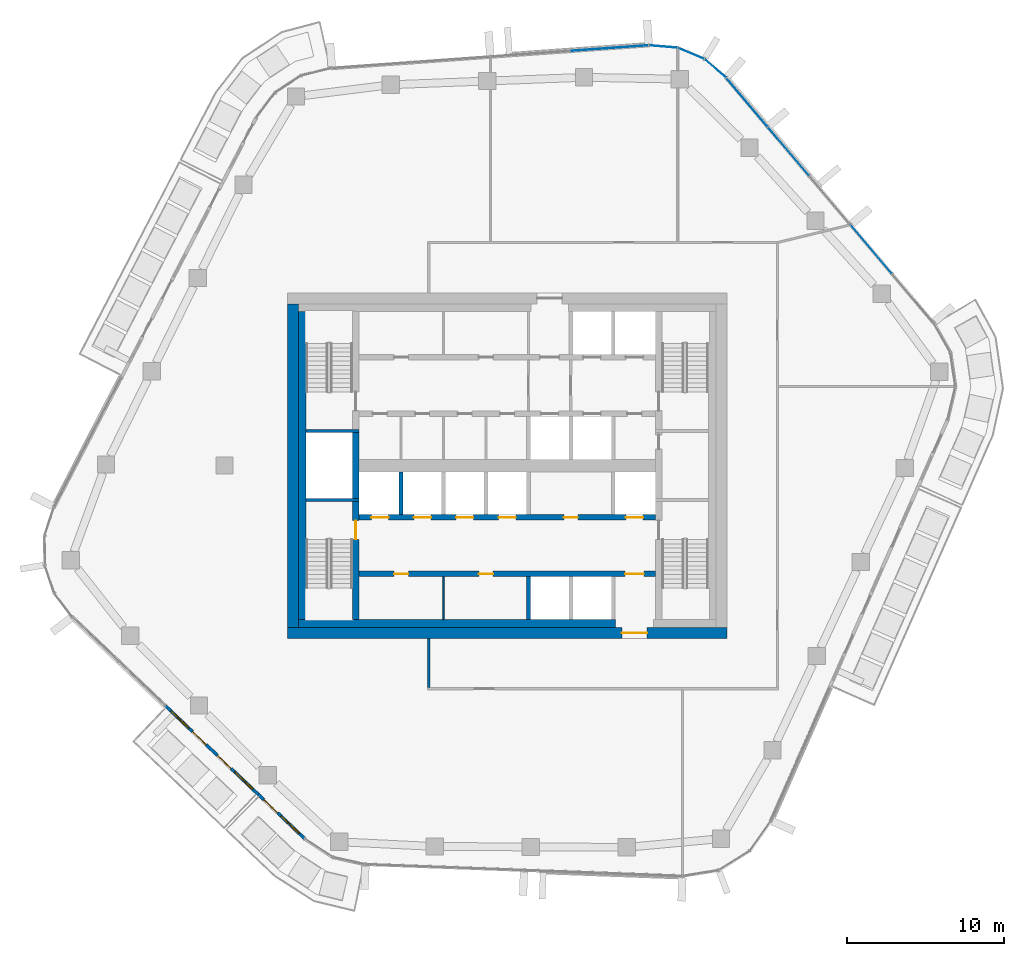
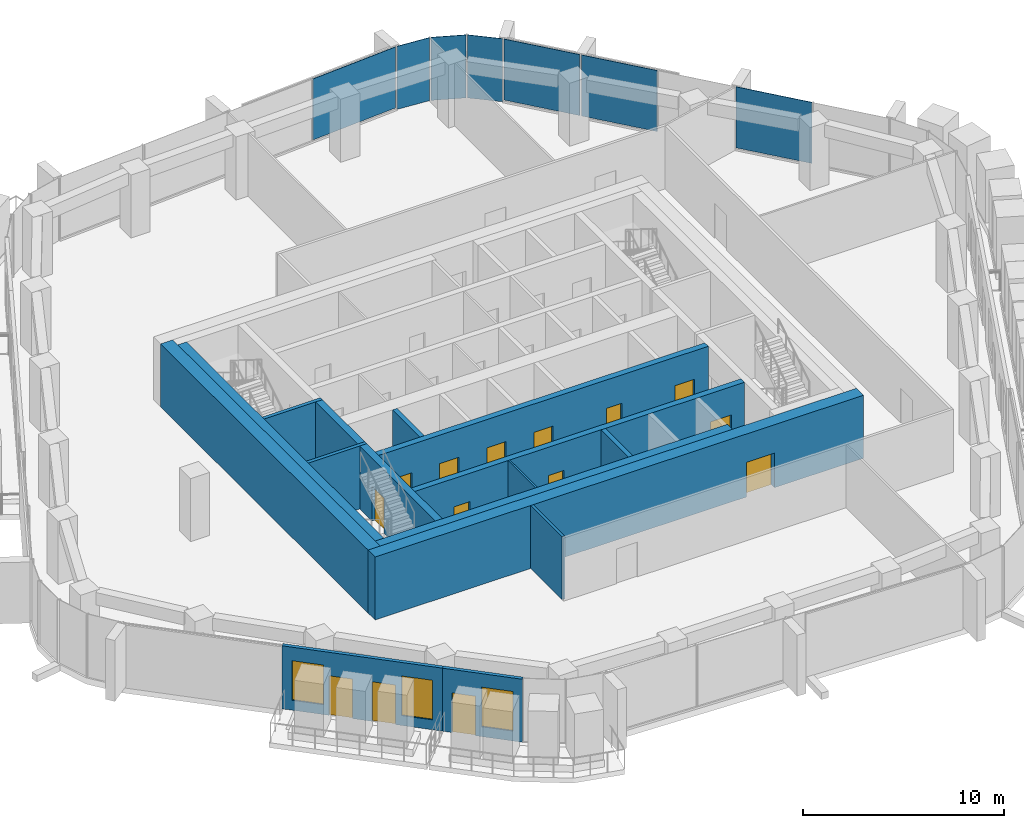
# One storey, part 11 of 21: 16 walls, 14 doors, 7 plates, 3 windows, 17 openings, 3 elements without a shape of their own.
"""IFC4 building model written with IfcOpenShell, lengths in metres."""

from ifc_helpers import new_model, si_unit, direction, frame, frame_2d, origin, origin_2d, place, context, subcontext, project, spatial, rectangle, extrude, material, layer, layer_set, type_object, element, fill, aggregate, save


model = new_model("IFC4")

# Units and contexts
model_context = context("Model", 3, precision=1e-05, world=origin(), true_north=direction((0.0, 1.0)))
body_context = subcontext(model_context, "Body", "Model", "MODEL_VIEW")
ifc_project = project(units=[si_unit("LENGTHUNIT", "METRE"), si_unit("AREAUNIT", "SQUARE_METRE"), si_unit("VOLUMEUNIT", "CUBIC_METRE"), si_unit("PLANEANGLEUNIT", "RADIAN"), si_unit("MASSUNIT", "GRAM", prefix="KILO")], contexts=[model_context])

# Site, building, storey
site_placement = place(None, origin())
site = spatial("IfcSite", under=ifc_project, at=site_placement, CompositionType="ELEMENT")
building_placement = place(site_placement, origin())
building = spatial("IfcBuilding", under=site, at=building_placement, Name="Dongbaek Canopy Tower", CompositionType="ELEMENT")
storey_placement = place(building_placement, frame((0.0, 0.0, 270.60009765625)))
storey = spatial("IfcBuildingStorey", under=building, at=storey_placement, Name="L57", CompositionType="ELEMENT", Elevation=270.60009765625)

# Curtain wall, plates
ifc_material_1 = material(Name="Aluminium 6063-T6 pale anodised", Category="aluminium")
ifc_layer_1 = layer(ifc_material_1, 0.199951171875)
ifc_layer_set_1 = layer_set([ifc_layer_1], Name="CW-1 unitised tower curtain wall")
curtain_wall_type = type_object("IfcCurtainWallType", Name="CW-1 unitised tower curtain wall", PredefinedType="NOTDEFINED", material=ifc_layer_set_1)
curtain_wall_1_placement = place(storey_placement, origin())
curtain_wall_1 = element("IfcCurtainWall", 1, at=curtain_wall_1_placement, inside=storey, type_object=curtain_wall_type, Name="CW-1 curtain wall F0.1", PredefinedType="NOTDEFINED")
ifc_material_2 = material(Name="Clear laminated glass", Category="glass")
ifc_layer_2 = layer(ifc_material_2, 0.028076171875)
ifc_layer_set_2 = layer_set([ifc_layer_2], Name="CW-1 glazed panel 28")
plate_type = type_object("IfcPlateType", Name="CW-1 glazed panel 28", PredefinedType="CURTAIN_PANEL", material=ifc_layer_set_2)
plate_1_placement = place(storey_placement, frame((23.1767578125, 13.771728515625, 0.1201171875), z_axis=(0.0, 0.0, 1.0), x_axis=(-0.646055122273, 0.763290756517, 0.0)))
plate_1 = element("IfcPlate", 2, at=plate_1_placement, type_object=plate_type, Name="CW-1 panel F0.1.2.1", PredefinedType="CURTAIN_PANEL", context=body_context, shape_type="SweptSolid", body=[
    extrude(rectangle(XDim=3.99853515625, YDim=0.028076171875, at=origin_2d()), origin(), (0.0, 0.0, 1.0), 3.699951171875),
])
plate_2_placement = place(storey_placement, frame((17.901611328125, 20.00390625, 0.1201171875), z_axis=(0.0, 0.0, 1.0), x_axis=(-0.646055122273, 0.763290756517, 0.0)))
plate_2 = element("IfcPlate", 3, at=plate_2_placement, type_object=plate_type, Name="CW-1 panel F0.1.4.1", PredefinedType="CURTAIN_PANEL", context=body_context, shape_type="SweptSolid", body=[
    extrude(rectangle(XDim=3.99853515625, YDim=0.028076171875, at=origin_2d()), origin(), (0.0, 0.0, 1.0), 3.699951171875),
])
plate_3_placement = place(storey_placement, frame((15.2666015625, 23.1171875, 0.1201171875), z_axis=(0.0, 0.0, 1.0), x_axis=(-0.646055122273, 0.763290756517, 0.0)))
plate_3 = element("IfcPlate", 4, at=plate_3_placement, type_object=plate_type, Name="CW-1 panel F0.1.5.1", PredefinedType="CURTAIN_PANEL", context=body_context, shape_type="SweptSolid", body=[
    extrude(rectangle(XDim=3.99072265625, YDim=0.028076171875, at=origin_2d()), origin(), (0.0, 0.0, 1.0), 3.699951171875),
])
aggregate(curtain_wall_1, [plate_1, plate_2, plate_3])

curtain_wall_2_placement = place(storey_placement, origin())
curtain_wall_2 = element("IfcCurtainWall", 5, at=curtain_wall_2_placement, inside=storey, type_object=curtain_wall_type, Name="CW-1 curtain wall K1.1", PredefinedType="NOTDEFINED")
plate_4_placement = place(storey_placement, frame((13.25048828125, 25.276123046875, 0.0), z_axis=(0.0, 0.0, 1.0), x_axis=(-0.757257908115, 0.653115962595, 0.0)))
plate_4 = element("IfcPlate", 6, at=plate_4_placement, type_object=plate_type, Name="CW-1 panel K1.1.1.1", PredefinedType="CURTAIN_PANEL", context=body_context, shape_type="SweptSolid", body=[
    extrude(rectangle(XDim=1.76513671875, YDim=0.028076171875, at=origin_2d()), origin(), (0.0, 0.0, 1.0), 3.820068359375),
])
plate_5_placement = place(storey_placement, frame((11.70166015625, 26.23681640625, 0.0), z_axis=(0.0, 0.0, 1.0), x_axis=(-0.921724437887, 0.387845408122, 0.0)))
plate_5 = element("IfcPlate", 7, at=plate_5_placement, type_object=plate_type, Name="CW-1 panel K1.1.2.1", PredefinedType="CURTAIN_PANEL", context=body_context, shape_type="SweptSolid", body=[
    extrude(rectangle(XDim=1.757080078125, YDim=0.028076171875, at=origin_2d()), origin(), (0.0, 0.0, 1.0), 3.820068359375),
])
plate_6_placement = place(storey_placement, frame((9.93212890625, 26.67236328125, 0.0), z_axis=(0.0, 0.0, 1.0), x_axis=(-0.996398686908, 0.084791843518, 0.0)))
plate_6 = element("IfcPlate", 8, at=plate_6_placement, type_object=plate_type, Name="CW-1 panel K1.1.3.1", PredefinedType="CURTAIN_PANEL", context=body_context, shape_type="SweptSolid", body=[
    extrude(rectangle(XDim=1.76513671875, YDim=0.028076171875, at=origin_2d()), origin(), (0.0, 0.0, 1.0), 3.820068359375),
])
aggregate(curtain_wall_2, [plate_4, plate_5, plate_6])

# Curtain wall, plate
curtain_wall_3_placement = place(storey_placement, origin())
curtain_wall_3 = element("IfcCurtainWall", 9, at=curtain_wall_3_placement, inside=storey, type_object=curtain_wall_type, Name="CW-1 curtain wall F1.1", PredefinedType="NOTDEFINED")
plate_7_placement = place(storey_placement, frame((6.4912109375, 26.569580078125, 0.1201171875), z_axis=(0.0, 0.0, 1.0), x_axis=(-0.997423073198, -0.07174408026, 0.0)))
plate_7 = element("IfcPlate", 10, at=plate_7_placement, type_object=plate_type, Name="CW-1 panel F1.1.1.1", PredefinedType="CURTAIN_PANEL", context=body_context, shape_type="SweptSolid", body=[
    extrude(rectangle(XDim=4.968505859375, YDim=0.028076171875, at=origin_2d()), origin(), (0.0, 0.0, 1.0), 3.699951171875),
])
aggregate(curtain_wall_3, [plate_7])

# Wall, openings, doors
ifc_material_3 = material(Name="Concrete C60/75", Category="concrete")
ifc_layer_3 = layer(ifc_material_3, 0.35009765625)
ifc_layer_set_3 = layer_set([ifc_layer_3], Name="Core lobby wall 350 Concrete C60/75")
wall_type_1 = type_object("IfcWallType", Name="Core lobby wall 350 Concrete C60/75", PredefinedType="SHEAR", material=ifc_layer_set_3)
wall_1_placement = place(storey_placement, frame((-9.449951171875, -3.300048828125, 0.0), z_axis=(0.0, 0.0, 1.0), x_axis=(1.0, 0.0, 0.0)))
wall_1 = element("IfcWall", 11, at=wall_1_placement, inside=storey, type_object=wall_type_1, Name="Core wall", PredefinedType="SHEAR", context=body_context, shape_type="SweptSolid", body=[
    extrude(rectangle(XDim=18.89990234375, YDim=0.35009765625, at=frame_2d((9.449951171875, 0.0))), origin(), (0.0, 0.0, 1.0), 3.81982421875),
])
opening_1_placement = place(wall_1_placement, frame((0.800048828125, 0.0, 0.0)))
opening_1 = element("IfcOpeningElement", 12, at=opening_1_placement, cuts=wall_1, Name="Opening L57-D014", PredefinedType="OPENING", context=body_context, shape_type="SweptSolid", body=[
    extrude(rectangle(XDim=1.10009765625, YDim=2.10009765625, at=frame_2d((0.550048828125, 1.050048828125))), frame((0.0, 0.18505859375, 0.0), z_axis=(0.0, -1.0, 0.0), x_axis=(1.0, 0.0, 0.0)), (0.0, 0.0, 1.0), 0.3701171875),
])
opening_2_placement = place(wall_1_placement, frame((3.5, 0.0, 0.0)))
opening_2 = element("IfcOpeningElement", 13, at=opening_2_placement, cuts=wall_1, Name="Opening L57-D015", PredefinedType="OPENING", context=body_context, shape_type="SweptSolid", body=[
    extrude(rectangle(XDim=1.10009765625, YDim=2.10009765625, at=frame_2d((0.550048828125, 1.050048828125))), frame((0.0, 0.18505859375, 0.0), z_axis=(0.0, -1.0, 0.0), x_axis=(1.0, 0.0, 0.0)), (0.0, 0.0, 1.0), 0.3701171875),
])
opening_3_placement = place(wall_1_placement, frame((6.199951171875, 0.0, 0.0)))
opening_3 = element("IfcOpeningElement", 14, at=opening_3_placement, cuts=wall_1, Name="Opening L57-D016", PredefinedType="OPENING", context=body_context, shape_type="SweptSolid", body=[
    extrude(rectangle(XDim=1.10009765625, YDim=2.10009765625, at=frame_2d((0.550048828125, 1.050048828125))), frame((0.0, 0.18505859375, 0.0), z_axis=(0.0, -1.0, 0.0), x_axis=(1.0, 0.0, 0.0)), (0.0, 0.0, 1.0), 0.3701171875),
])
opening_4_placement = place(wall_1_placement, frame((8.89990234375, 0.0, 0.0)))
opening_4 = element("IfcOpeningElement", 15, at=opening_4_placement, cuts=wall_1, Name="Opening L57-D017", PredefinedType="OPENING", context=body_context, shape_type="SweptSolid", body=[
    extrude(rectangle(XDim=1.10009765625, YDim=2.10009765625, at=frame_2d((0.550048828125, 1.050048828125))), frame((0.0, 0.18505859375, 0.0), z_axis=(0.0, -1.0, 0.0), x_axis=(1.0, 0.0, 0.0)), (0.0, 0.0, 1.0), 0.3701171875),
])
opening_5_placement = place(wall_1_placement, frame((17.0, 0.0, 0.0)))
opening_5 = element("IfcOpeningElement", 16, at=opening_5_placement, cuts=wall_1, Name="Opening L57-D018", PredefinedType="OPENING", context=body_context, shape_type="SweptSolid", body=[
    extrude(rectangle(XDim=1.10009765625, YDim=2.10009765625, at=frame_2d((0.550048828125, 1.050048828125))), frame((0.0, 0.18505859375, 0.0), z_axis=(0.0, -1.0, 0.0), x_axis=(1.0, 0.0, 0.0)), (0.0, 0.0, 1.0), 0.3701171875),
])
opening_6_placement = place(wall_1_placement, frame((13.050048828125, 0.0, 0.0)))
opening_6 = element("IfcOpeningElement", 17, at=opening_6_placement, cuts=wall_1, Name="Opening L57-D027", PredefinedType="OPENING", context=body_context, shape_type="SweptSolid", body=[
    extrude(rectangle(XDim=0.89990234375, YDim=2.10009765625, at=frame_2d((0.449951171875, 1.050048828125))), frame((0.0, 0.18505859375, 0.0), z_axis=(0.0, -1.0, 0.0), x_axis=(1.0, 0.0, 0.0)), (0.0, 0.0, 1.0), 0.3701171875),
])
ifc_material_4 = material(Name="Steel", Category="steel")
door_type_1 = type_object("IfcDoorType", Name="Core room door 900 x 2100", OperationType="SINGLE_SWING_LEFT", PredefinedType="DOOR", material=ifc_material_4)
door_1_placement = place(opening_6_placement, origin())
door_1 = element("IfcDoor", 18, at=door_1_placement, inside=storey, type_object=door_type_1, Name="Door L57-D027", OperationType="SINGLE_SWING_RIGHT", OverallHeight=2.10009765625, OverallWidth=0.89990234375, PredefinedType="DOOR", context=body_context, shape_type="SweptSolid", body=[
    extrude(rectangle(XDim=0.89990234375, YDim=2.10009765625, at=frame_2d((0.449951171875, 1.050048828125))), frame((0.0, 0.02490234375, 0.0), z_axis=(0.0, -1.0, 0.0), x_axis=(1.0, 0.0, 0.0)), (0.0, 0.0, 1.0), 0.050048828125),
])
fill(opening_6, door_1)
ifc_material_5 = material(Name="Stainless steel", Category="steel")
door_type_2 = type_object("IfcDoorType", Name="Lift landing door 1100 x 2100", OperationType="DOUBLE_DOOR_SLIDING", PredefinedType="DOOR", material=ifc_material_5)
door_2_placement = place(opening_1_placement, origin())
door_2 = element("IfcDoor", 19, at=door_2_placement, inside=storey, type_object=door_type_2, Name="Landing door MR1", OperationType="DOUBLE_DOOR_SLIDING", OverallHeight=2.10009765625, OverallWidth=1.10009765625, PredefinedType="DOOR", context=body_context, shape_type="SweptSolid", body=[
    extrude(rectangle(XDim=1.10009765625, YDim=2.10009765625, at=frame_2d((0.550048828125, 1.050048828125))), frame((0.0, 0.02490234375, 0.0), z_axis=(0.0, -1.0, 0.0), x_axis=(1.0, 0.0, 0.0)), (0.0, 0.0, 1.0), 0.050048828125),
])
fill(opening_1, door_2)
door_3_placement = place(opening_2_placement, origin())
door_3 = element("IfcDoor", 20, at=door_3_placement, inside=storey, type_object=door_type_2, Name="Landing door MR2", OperationType="DOUBLE_DOOR_SLIDING", OverallHeight=2.10009765625, OverallWidth=1.10009765625, PredefinedType="DOOR", context=body_context, shape_type="SweptSolid", body=[
    extrude(rectangle(XDim=1.10009765625, YDim=2.10009765625, at=frame_2d((0.550048828125, 1.050048828125))), frame((0.0, 0.02490234375, 0.0), z_axis=(0.0, -1.0, 0.0), x_axis=(1.0, 0.0, 0.0)), (0.0, 0.0, 1.0), 0.050048828125),
])
fill(opening_2, door_3)
door_4_placement = place(opening_3_placement, origin())
door_4 = element("IfcDoor", 21, at=door_4_placement, inside=storey, type_object=door_type_2, Name="Landing door MR3", OperationType="DOUBLE_DOOR_SLIDING", OverallHeight=2.10009765625, OverallWidth=1.10009765625, PredefinedType="DOOR", context=body_context, shape_type="SweptSolid", body=[
    extrude(rectangle(XDim=1.10009765625, YDim=2.10009765625, at=frame_2d((0.550048828125, 1.050048828125))), frame((0.0, 0.02490234375, 0.0), z_axis=(0.0, -1.0, 0.0), x_axis=(1.0, 0.0, 0.0)), (0.0, 0.0, 1.0), 0.050048828125),
])
fill(opening_3, door_4)
door_5_placement = place(opening_4_placement, origin())
door_5 = element("IfcDoor", 22, at=door_5_placement, inside=storey, type_object=door_type_2, Name="Landing door MR4", OperationType="DOUBLE_DOOR_SLIDING", OverallHeight=2.10009765625, OverallWidth=1.10009765625, PredefinedType="DOOR", context=body_context, shape_type="SweptSolid", body=[
    extrude(rectangle(XDim=1.10009765625, YDim=2.10009765625, at=frame_2d((0.550048828125, 1.050048828125))), frame((0.0, 0.02490234375, 0.0), z_axis=(0.0, -1.0, 0.0), x_axis=(1.0, 0.0, 0.0)), (0.0, 0.0, 1.0), 0.050048828125),
])
fill(opening_4, door_5)
door_6_placement = place(opening_5_placement, origin())
door_6 = element("IfcDoor", 23, at=door_6_placement, inside=storey, type_object=door_type_2, Name="Landing door SV2", OperationType="DOUBLE_DOOR_SLIDING", OverallHeight=2.10009765625, OverallWidth=1.10009765625, PredefinedType="DOOR", context=body_context, shape_type="SweptSolid", body=[
    extrude(rectangle(XDim=1.10009765625, YDim=2.10009765625, at=frame_2d((0.550048828125, 1.050048828125))), frame((0.0, 0.02490234375, 0.0), z_axis=(0.0, -1.0, 0.0), x_axis=(1.0, 0.0, 0.0)), (0.0, 0.0, 1.0), 0.050048828125),
])
fill(opening_5, door_6)

wall_2_placement = place(storey_placement, frame((9.449951171875, -6.89990234375, 0.0), z_axis=(0.0, 0.0, 1.0), x_axis=(-1.0, 0.0, 0.0)))
wall_2 = element("IfcWall", 24, at=wall_2_placement, inside=storey, type_object=wall_type_1, Name="Core wall", PredefinedType="SHEAR", context=body_context, shape_type="SweptSolid", body=[
    extrude(rectangle(XDim=18.89990234375, YDim=0.35009765625, at=frame_2d((9.449951171875, 0.0))), origin(), (0.0, 0.0, 1.0), 3.81982421875),
])
opening_7_placement = place(wall_2_placement, frame((0.75, 0.0, 0.0)))
opening_7 = element("IfcOpeningElement", 25, at=opening_7_placement, cuts=wall_2, Name="Opening L57-D020", PredefinedType="OPENING", context=body_context, shape_type="SweptSolid", body=[
    extrude(rectangle(XDim=1.199951171875, YDim=2.10009765625, at=frame_2d((0.60009765625, 1.050048828125))), frame((0.0, 0.18505859375, 0.0), z_axis=(0.0, -1.0, 0.0), x_axis=(1.0, 0.0, 0.0)), (0.0, 0.0, 1.0), 0.3701171875),
])
opening_8_placement = place(wall_2_placement, frame((15.75, 0.0, 0.0)))
opening_8 = element("IfcOpeningElement", 26, at=opening_8_placement, cuts=wall_2, Name="Opening L57-D028", PredefinedType="OPENING", context=body_context, shape_type="SweptSolid", body=[
    extrude(rectangle(XDim=0.89990234375, YDim=2.10009765625, at=frame_2d((0.449951171875, 1.050048828125))), frame((0.0, 0.18505859375, 0.0), z_axis=(0.0, -1.0, 0.0), x_axis=(1.0, 0.0, 0.0)), (0.0, 0.0, 1.0), 0.3701171875),
])
opening_9_placement = place(wall_2_placement, frame((10.35009765625, 0.0, 0.0)))
opening_9 = element("IfcOpeningElement", 27, at=opening_9_placement, cuts=wall_2, Name="Opening L57-D029", PredefinedType="OPENING", context=body_context, shape_type="SweptSolid", body=[
    extrude(rectangle(XDim=0.89990234375, YDim=2.10009765625, at=frame_2d((0.449951171875, 1.050048828125))), frame((0.0, 0.18505859375, 0.0), z_axis=(0.0, -1.0, 0.0), x_axis=(1.0, 0.0, 0.0)), (0.0, 0.0, 1.0), 0.3701171875),
])
door_7_placement = place(opening_8_placement, origin())
door_7 = element("IfcDoor", 28, at=door_7_placement, inside=storey, type_object=door_type_1, Name="Door L57-D028", OperationType="SINGLE_SWING_LEFT", OverallHeight=2.10009765625, OverallWidth=0.89990234375, PredefinedType="DOOR", context=body_context, shape_type="SweptSolid", body=[
    extrude(rectangle(XDim=0.89990234375, YDim=2.10009765625, at=frame_2d((0.449951171875, 1.050048828125))), frame((0.0, 0.02490234375, 0.0), z_axis=(0.0, -1.0, 0.0), x_axis=(1.0, 0.0, 0.0)), (0.0, 0.0, 1.0), 0.050048828125),
])
fill(opening_8, door_7)
door_8_placement = place(opening_9_placement, origin())
door_8 = element("IfcDoor", 29, at=door_8_placement, inside=storey, type_object=door_type_1, Name="Door L57-D029", OperationType="SINGLE_SWING_RIGHT", OverallHeight=2.10009765625, OverallWidth=0.89990234375, PredefinedType="DOOR", context=body_context, shape_type="SweptSolid", body=[
    extrude(rectangle(XDim=0.89990234375, YDim=2.10009765625, at=frame_2d((0.449951171875, 1.050048828125))), frame((0.0, 0.02490234375, 0.0), z_axis=(0.0, -1.0, 0.0), x_axis=(1.0, 0.0, 0.0)), (0.0, 0.0, 1.0), 0.050048828125),
])
fill(opening_9, door_8)
ifc_material_6 = material(Name="Steel", Category="steel")
door_type_3 = type_object("IfcDoorType", Name="Fire lobby door 1200 x 2100", OperationType="SINGLE_SWING_LEFT", PredefinedType="DOOR", material=ifc_material_6)
door_9_placement = place(opening_7_placement, origin())
door_9 = element("IfcDoor", 30, at=door_9_placement, inside=storey, type_object=door_type_3, Name="Door L57-D020", OperationType="SINGLE_SWING_LEFT", OverallHeight=2.10009765625, OverallWidth=1.199951171875, PredefinedType="DOOR", context=body_context, shape_type="SweptSolid", body=[
    extrude(rectangle(XDim=1.199951171875, YDim=2.10009765625, at=frame_2d((0.60009765625, 1.050048828125))), frame((0.0, 0.02490234375, 0.0), z_axis=(0.0, -1.0, 0.0), x_axis=(1.0, 0.0, 0.0)), (0.0, 0.0, 1.0), 0.050048828125),
])
fill(opening_7, door_9)

# Wall, opening, door
ifc_material_7 = material(Name="Concrete C70/85", Category="concrete")
ifc_layer_4 = layer(ifc_material_7, 0.699951171875)
ifc_layer_set_4 = layer_set([ifc_layer_4], Name="Core outer wall 700 Concrete C70/85")
wall_type_2 = type_object("IfcWallType", Name="Core outer wall 700 Concrete C70/85", PredefinedType="SHEAR", material=ifc_layer_set_4)
wall_3_placement = place(storey_placement, frame((14.0, -10.64990234375, 0.0), z_axis=(0.0, 0.0, 1.0), x_axis=(-1.0, 0.0, 0.0)))
wall_3 = element("IfcWall", 31, at=wall_3_placement, inside=storey, type_object=wall_type_2, Name="Core wall", PredefinedType="SHEAR", context=body_context, shape_type="SweptSolid", body=[
    extrude(rectangle(XDim=28.0, YDim=0.699951171875, at=frame_2d((14.0, 0.0))), origin(), (0.0, 0.0, 1.0), 3.81982421875),
])
opening_10_placement = place(wall_3_placement, frame((5.10009765625, 0.0, 0.0)))
opening_10 = element("IfcOpeningElement", 32, at=opening_10_placement, cuts=wall_3, Name="Opening L57-D019", PredefinedType="OPENING", context=body_context, shape_type="SweptSolid", body=[
    extrude(rectangle(XDim=1.60009765625, YDim=2.10009765625, at=frame_2d((0.800048828125, 1.050048828125))), frame((0.0, 0.35986328125, 0.0), z_axis=(0.0, -1.0, 0.0), x_axis=(1.0, 0.0, 0.0)), (0.0, 0.0, 1.0), 0.719970703125),
])
ifc_material_8 = material(Name="Steel", Category="steel")
door_type_4 = type_object("IfcDoorType", Name="Core exit door 1600 x 2100", OperationType="DOUBLE_DOOR_SINGLE_SWING", PredefinedType="DOOR", material=ifc_material_8)
door_10_placement = place(opening_10_placement, origin())
door_10 = element("IfcDoor", 33, at=door_10_placement, inside=storey, type_object=door_type_4, Name="Core exit door", OperationType="DOUBLE_DOOR_SINGLE_SWING", OverallHeight=2.10009765625, OverallWidth=1.60009765625, PredefinedType="DOOR", context=body_context, shape_type="SweptSolid", body=[
    extrude(rectangle(XDim=1.60009765625, YDim=2.10009765625, at=frame_2d((0.800048828125, 1.050048828125))), frame((0.0, 0.02490234375, 0.0), z_axis=(0.0, -1.0, 0.0), x_axis=(1.0, 0.0, 0.0)), (0.0, 0.0, 1.0), 0.050048828125),
])
fill(opening_10, door_10)

# Walls
wall_4_placement = place(storey_placement, frame((-13.64990234375, -10.300048828125, 0.0), z_axis=(0.0, 0.0, 1.0), x_axis=(0.0, 1.0, 0.0)))
element("IfcWall", 34, at=wall_4_placement, inside=storey, type_object=wall_type_2, Name="Core wall", PredefinedType="SHEAR", context=body_context, shape_type="SweptSolid", body=[
    extrude(rectangle(XDim=20.60009765625, YDim=0.699951171875, at=frame_2d((10.300048828125, 0.0))), origin(), (0.0, 0.0, 1.0), 3.81982421875),
])
ifc_material_9 = material(Name="Concrete C60/75", Category="concrete")
ifc_layer_5 = layer(ifc_material_9, 0.5)
ifc_layer_set_5 = layer_set([ifc_layer_5], Name="Core wall lining 500 Concrete C60/75")
wall_type_3 = type_object("IfcWallType", Name="Core wall lining 500 Concrete C60/75", PredefinedType="SHEAR", material=ifc_layer_set_5)
wall_5_placement = place(storey_placement, frame((6.89990234375, -10.050048828125, 0.0), z_axis=(0.0, 0.0, 1.0), x_axis=(-1.0, 0.0, 0.0)))
element("IfcWall", 35, at=wall_5_placement, inside=storey, type_object=wall_type_3, Name="Core wall lining", PredefinedType="SHEAR", context=body_context, shape_type="SweptSolid", body=[
    extrude(rectangle(XDim=20.199951171875, YDim=0.5, at=frame_2d((10.10009765625, 0.0))), origin(), (0.0, 0.0, 1.0), 3.81982421875),
])
wall_6_placement = place(storey_placement, frame((-13.050048828125, -9.800048828125, 0.0), z_axis=(0.0, 0.0, 1.0), x_axis=(0.0, 1.0, 0.0)))
element("IfcWall", 36, at=wall_6_placement, inside=storey, type_object=wall_type_3, Name="Core wall lining", PredefinedType="SHEAR", context=body_context, shape_type="SweptSolid", body=[
    extrude(rectangle(XDim=19.60009765625, YDim=0.5, at=frame_2d((9.800048828125, 0.0))), origin(), (0.0, 0.0, 1.0), 3.81982421875),
])
ifc_material_10 = material(Name="Gypsum board partition, steel stud, 2 x 15 mm fire board", Category="steel")
ifc_layer_6 = layer(ifc_material_10, 0.14990234375)
ifc_layer_set_6 = layer_set([ifc_layer_6], Name="Fire-rated partition 150 gypsum board")
wall_type_4 = type_object("IfcWallType", Name="Fire-rated partition 150 gypsum board", PredefinedType="PARTITIONING", material=ifc_layer_set_6)
wall_7_placement = place(storey_placement, frame((-5.0, -14.125, 0.0), z_axis=(0.0, 0.0, 1.0), x_axis=(0.0, 1.0, 0.0)))
element("IfcWall", 37, at=wall_7_placement, inside=storey, type_object=wall_type_4, Name="Corridor partition", PredefinedType="PARTITIONING", context=body_context, shape_type="SweptSolid", body=[
    extrude(rectangle(XDim=3.125, YDim=0.14990234375, at=frame_2d((1.5625, 0.0))), origin(), (0.0, 0.0, 1.0), 3.81982421875),
])
ifc_material_11 = material(Name="Concrete C40/50", Category="concrete")
ifc_layer_7 = layer(ifc_material_11, 0.25)
ifc_layer_set_7 = layer_set([ifc_layer_7], Name="Lift shaft wall 250 Concrete C40/50")
wall_type_5 = type_object("IfcWallType", Name="Lift shaft wall 250 Concrete C40/50", PredefinedType="SOLIDWALL", material=ifc_layer_set_7)
for number, where, z_axis, x_axis, name in (
    (38, (1.35009765625, -9.800048828125, 0.0), (0.0, 0.0, 1.0), (0.0, 1.0, 0.0), "Lift shaft wall"),
    (39, (-6.75, -3.125, 0.0), (0.0, 0.0, 1.0), (0.0, 1.0, 0.0), "Lift shaft wall"),
):
    element("IfcWall", number, at=place(storey_placement, frame(where, z_axis=z_axis, x_axis=x_axis)), inside=storey, type_object=wall_type_5, Name=name, PredefinedType="SOLIDWALL", context=body_context, shape_type="SweptSolid", body=[
        extrude(rectangle(XDim=2.72509765625, YDim=0.25, at=frame_2d((1.362548828125, 0.0))), origin(), (0.0, 0.0, 1.0), 3.81982421875),
    ])
ifc_material_12 = material(Name="Gypsum board partition, steel stud, 2 x 12.5 mm board", Category="steel")
ifc_layer_8 = layer(ifc_material_12, 0.10009765625)
ifc_layer_set_8 = layer_set([ifc_layer_8], Name="Partition 100 gypsum board")
wall_type_6 = type_object("IfcWallType", Name="Partition 100 gypsum board", PredefinedType="PARTITIONING", material=ifc_layer_set_8)
wall_8_placement = place(storey_placement, frame((-4.050048828125, -9.800048828125, 0.0), z_axis=(0.0, 0.0, 1.0), x_axis=(0.0, 1.0, 0.0)))
element("IfcWall", 40, at=wall_8_placement, inside=storey, type_object=wall_type_6, Name="Core partition", PredefinedType="PARTITIONING", context=body_context, shape_type="SweptSolid", body=[
    extrude(rectangle(XDim=2.72509765625, YDim=0.10009765625, at=frame_2d((1.362548828125, 0.0))), origin(), (0.0, 0.0, 1.0), 3.81982421875),
])
ifc_material_13 = material(Name="Concrete C60/75", Category="concrete")
ifc_layer_9 = layer(ifc_material_13, 0.199951171875)
ifc_layer_set_9 = layer_set([ifc_layer_9], Name="Riser wall 200 Concrete C60/75")
wall_type_7 = type_object("IfcWallType", Name="Riser wall 200 Concrete C60/75", PredefinedType="SHEAR", material=ifc_layer_set_9)
for number, where, z_axis, x_axis, name in (
    (41, (-9.449951171875, 2.199951171875, 0.0), (0.0, 0.0, 1.0), (-1.0, 0.0, 0.0), "Riser wall"),
    (42, (-9.449951171875, -2.199951171875, 0.0), (0.0, 0.0, 1.0), (-1.0, 0.0, 0.0), "Riser wall"),
):
    element("IfcWall", number, at=place(storey_placement, frame(where, z_axis=z_axis, x_axis=x_axis)), inside=storey, type_object=wall_type_7, Name=name, PredefinedType="SHEAR", context=body_context, shape_type="SweptSolid", body=[
        extrude(rectangle(XDim=3.35009765625, YDim=0.199951171875, at=frame_2d((1.675048828125, 0.0))), origin(), (0.0, 0.0, 1.0), 3.81982421875),
    ])

# Wall, opening, door
ifc_material_14 = material(Name="Concrete C60/75", Category="concrete")
ifc_layer_10 = layer(ifc_material_14, 0.39990234375)
ifc_layer_set_10 = layer_set([ifc_layer_10], Name="Stair wall 400 Concrete C60/75")
wall_type_8 = type_object("IfcWallType", Name="Stair wall 400 Concrete C60/75", PredefinedType="SHEAR", material=ifc_layer_set_10)
wall_9_placement = place(storey_placement, frame((-9.64990234375, -9.800048828125, 0.0), z_axis=(0.0, 0.0, 1.0), x_axis=(0.0, 1.0, 0.0)))
wall_9 = element("IfcWall", 43, at=wall_9_placement, inside=storey, type_object=wall_type_8, Name="Stair wall", PredefinedType="SHEAR", context=body_context, shape_type="SweptSolid", body=[
    extrude(rectangle(XDim=7.5, YDim=0.39990234375, at=frame_2d((3.75, 0.0))), origin(), (0.0, 0.0, 1.0), 3.81982421875),
])
opening_11_placement = place(wall_9_placement, frame((5.10009765625, 0.0, 0.0)))
opening_11 = element("IfcOpeningElement", 44, at=opening_11_placement, cuts=wall_9, Name="Opening L57-D033", PredefinedType="OPENING", context=body_context, shape_type="SweptSolid", body=[
    extrude(rectangle(XDim=1.199951171875, YDim=2.10009765625, at=frame_2d((0.60009765625, 1.050048828125))), frame((0.0, 0.2099609375, 0.0), z_axis=(0.0, -1.0, 0.0), x_axis=(1.0, 0.0, 0.0)), (0.0, 0.0, 1.0), 0.419921875),
])
ifc_material_15 = material(Name="Steel", Category="steel")
door_type_5 = type_object("IfcDoorType", Name="Stair door 1200 x 2100", OperationType="SINGLE_SWING_LEFT", PredefinedType="DOOR", material=ifc_material_15)
door_11_placement = place(opening_11_placement, origin())
door_11 = element("IfcDoor", 45, at=door_11_placement, inside=storey, type_object=door_type_5, Name="Stair D door", OperationType="SINGLE_SWING_LEFT", OverallHeight=2.10009765625, OverallWidth=1.199951171875, PredefinedType="DOOR", context=body_context, shape_type="SweptSolid", body=[
    extrude(rectangle(XDim=1.199951171875, YDim=2.10009765625, at=frame_2d((0.60009765625, 1.050048828125))), frame((0.0, 0.02490234375, 0.0), z_axis=(0.0, -1.0, 0.0), x_axis=(1.0, 0.0, 0.0)), (0.0, 0.0, 1.0), 0.050048828125),
])
fill(opening_11, door_11)

# Wall
wall_10_placement = place(storey_placement, frame((-9.64990234375, -2.10009765625, 0.0), z_axis=(0.0, 0.0, 1.0), x_axis=(0.0, 1.0, 0.0)))
element("IfcWall", 46, at=wall_10_placement, inside=storey, type_object=wall_type_8, Name="Stair wall", PredefinedType="SHEAR", context=body_context, shape_type="SweptSolid", body=[
    extrude(rectangle(XDim=4.2001953125, YDim=0.39990234375, at=frame_2d((2.10009765625, 0.0))), origin(), (0.0, 0.0, 1.0), 3.81982421875),
])

# Wall, openings, doors, windows
ifc_material_16 = material(Name="Aluminium window wall", Category="aluminium")
ifc_layer_11 = layer(ifc_material_16, 0.199951171875)
ifc_layer_set_11 = layer_set([ifc_layer_11], Name="Window wall 200")
wall_type_9 = type_object("IfcWallType", Name="Window wall 200", PredefinedType="SOLIDWALL", material=ifc_layer_set_11)
wall_11_placement = place(storey_placement, frame((-21.767333984375, -15.2802734375, 0.0), z_axis=(0.0, 0.0, 1.0), x_axis=(0.723352158006, -0.690479294048, 0.0)))
wall_11 = element("IfcWall", 47, at=wall_11_placement, inside=storey, type_object=wall_type_9, Name="Window wall L57 2", PredefinedType="SOLIDWALL", context=body_context, shape_type="SweptSolid", body=[
    extrude(rectangle(XDim=8.184326171875, YDim=0.199951171875, at=frame_2d((4.09228515625, 0.0))), origin(), (0.0, 0.0, 1.0), 3.81982421875),
])
opening_12_placement = place(wall_11_placement, frame((0.5, 0.0, 0.60009765625)))
opening_12 = element("IfcOpeningElement", 48, at=opening_12_placement, cuts=wall_11, Name="Opening W1", PredefinedType="OPENING", context=body_context, shape_type="SweptSolid", body=[
    extrude(rectangle(XDim=1.60009765625, YDim=2.39990234375, at=frame_2d((0.800048828125, 1.199951171875))), frame((0.0, 0.10986328125, 0.0), z_axis=(0.0, -1.0, 0.0), x_axis=(1.0, 0.0, 0.0)), (0.0, 0.0, 1.0), 0.219970703125),
])
opening_13_placement = place(wall_11_placement, frame((2.39990234375, 0.0, 0.0)))
opening_13 = element("IfcOpeningElement", 49, at=opening_13_placement, cuts=wall_11, Name="Opening L57-B05", PredefinedType="OPENING", context=body_context, shape_type="SweptSolid", body=[
    extrude(rectangle(XDim=1.199951171875, YDim=2.39990234375, at=frame_2d((0.60009765625, 1.199951171875))), frame((0.0, 0.10986328125, 0.0), z_axis=(0.0, -1.0, 0.0), x_axis=(1.0, 0.0, 0.0)), (0.0, 0.0, 1.0), 0.219970703125),
])
opening_14_placement = place(wall_11_placement, frame((6.09228515625, 0.0, 0.60009765625)))
opening_14 = element("IfcOpeningElement", 50, at=opening_14_placement, cuts=wall_11, Name="Opening W1", PredefinedType="OPENING", context=body_context, shape_type="SweptSolid", body=[
    extrude(rectangle(XDim=1.60009765625, YDim=2.39990234375, at=frame_2d((0.800048828125, 1.199951171875))), frame((0.0, 0.10986328125, 0.0), z_axis=(0.0, -1.0, 0.0), x_axis=(1.0, 0.0, 0.0)), (0.0, 0.0, 1.0), 0.219970703125),
])
opening_15_placement = place(wall_11_placement, frame((4.59228515625, 0.0, 0.0)))
opening_15 = element("IfcOpeningElement", 51, at=opening_15_placement, cuts=wall_11, Name="Opening L57-B06", PredefinedType="OPENING", context=body_context, shape_type="SweptSolid", body=[
    extrude(rectangle(XDim=1.199951171875, YDim=2.39990234375, at=frame_2d((0.60009765625, 1.199951171875))), frame((0.0, 0.10986328125, 0.0), z_axis=(0.0, -1.0, 0.0), x_axis=(1.0, 0.0, 0.0)), (0.0, 0.0, 1.0), 0.219970703125),
])
ifc_material_17 = material(Name="Clear glazing in aluminium frame", Category="aluminium")
door_type_6 = type_object("IfcDoorType", Name="Balcony door BD1 1200 x 2400", OperationType="SLIDING_TO_LEFT", PredefinedType="DOOR", material=ifc_material_17)
door_12_placement = place(opening_13_placement, origin())
door_12 = element("IfcDoor", 52, at=door_12_placement, inside=storey, type_object=door_type_6, Name="Balcony door L57-B05", OperationType="SLIDING_TO_LEFT", OverallHeight=2.39990234375, OverallWidth=1.199951171875, PredefinedType="DOOR", context=body_context, shape_type="SweptSolid", body=[
    extrude(rectangle(XDim=1.199951171875, YDim=2.39990234375, at=frame_2d((0.60009765625, 1.199951171875))), frame((0.0, 0.02490234375, 0.0), z_axis=(0.0, -1.0, 0.0), x_axis=(1.0, 0.0, 0.0)), (0.0, 0.0, 1.0), 0.050048828125),
])
fill(opening_13, door_12)
door_13_placement = place(opening_15_placement, origin())
door_13 = element("IfcDoor", 53, at=door_13_placement, inside=storey, type_object=door_type_6, Name="Balcony door L57-B06", OperationType="SLIDING_TO_LEFT", OverallHeight=2.39990234375, OverallWidth=1.199951171875, PredefinedType="DOOR", context=body_context, shape_type="SweptSolid", body=[
    extrude(rectangle(XDim=1.199951171875, YDim=2.39990234375, at=frame_2d((0.60009765625, 1.199951171875))), frame((0.0, 0.02490234375, 0.0), z_axis=(0.0, -1.0, 0.0), x_axis=(1.0, 0.0, 0.0)), (0.0, 0.0, 1.0), 0.050048828125),
])
fill(opening_15, door_13)
ifc_material_18 = material(Name="Clear glazing in aluminium frame", Category="aluminium")
window_type = type_object("IfcWindowType", Name="Window W1 1600 x 2400", PartitioningType="SINGLE_PANEL", PredefinedType="WINDOW", material=ifc_material_18)
window_1_placement = place(opening_12_placement, origin())
window_1 = element("IfcWindow", 54, at=window_1_placement, inside=storey, type_object=window_type, Name="Window L57 2.1", OverallHeight=2.39990234375, OverallWidth=1.60009765625, PartitioningType="SINGLE_PANEL", PredefinedType="WINDOW", context=body_context, shape_type="SweptSolid", body=[
    extrude(rectangle(XDim=1.60009765625, YDim=2.39990234375, at=frame_2d((0.800048828125, 1.199951171875))), frame((0.0, 0.030029296875, 0.0), z_axis=(0.0, -1.0, 0.0), x_axis=(1.0, 0.0, 0.0)), (0.0, 0.0, 1.0), 0.06005859375),
])
fill(opening_12, window_1)
window_2_placement = place(opening_14_placement, origin())
window_2 = element("IfcWindow", 55, at=window_2_placement, inside=storey, type_object=window_type, Name="Window L57 2.2", OverallHeight=2.39990234375, OverallWidth=1.60009765625, PartitioningType="SINGLE_PANEL", PredefinedType="WINDOW", context=body_context, shape_type="SweptSolid", body=[
    extrude(rectangle(XDim=1.60009765625, YDim=2.39990234375, at=frame_2d((0.800048828125, 1.199951171875))), frame((0.0, 0.030029296875, 0.0), z_axis=(0.0, -1.0, 0.0), x_axis=(1.0, 0.0, 0.0)), (0.0, 0.0, 1.0), 0.06005859375),
])
fill(opening_14, window_2)

# Wall, openings, door, window
wall_12_placement = place(storey_placement, frame((-15.84716796875, -20.931396484375, 0.0), z_axis=(0.0, 0.0, 1.0), x_axis=(0.723358258998, -0.690472902538, 0.0)))
wall_12 = element("IfcWall", 56, at=wall_12_placement, inside=storey, type_object=wall_type_9, Name="Window wall L57 6", PredefinedType="SOLIDWALL", context=body_context, shape_type="SweptSolid", body=[
    extrude(rectangle(XDim=4.083251953125, YDim=0.199951171875, at=frame_2d((2.04150390625, 0.0))), origin(), (0.0, 0.0, 1.0), 3.81982421875),
])
opening_16_placement = place(wall_12_placement, frame((2.0, 0.0, 0.60009765625)))
opening_16 = element("IfcOpeningElement", 57, at=opening_16_placement, cuts=wall_12, Name="Opening W1", PredefinedType="OPENING", context=body_context, shape_type="SweptSolid", body=[
    extrude(rectangle(XDim=1.60009765625, YDim=2.39990234375, at=frame_2d((0.800048828125, 1.199951171875))), frame((0.0, 0.10986328125, 0.0), z_axis=(0.0, -1.0, 0.0), x_axis=(1.0, 0.0, 0.0)), (0.0, 0.0, 1.0), 0.219970703125),
])
opening_17_placement = place(wall_12_placement, frame((0.5, 0.0, 0.0)))
opening_17 = element("IfcOpeningElement", 58, at=opening_17_placement, cuts=wall_12, Name="Opening L57-B07", PredefinedType="OPENING", context=body_context, shape_type="SweptSolid", body=[
    extrude(rectangle(XDim=1.199951171875, YDim=2.39990234375, at=frame_2d((0.60009765625, 1.199951171875))), frame((0.0, 0.10986328125, 0.0), z_axis=(0.0, -1.0, 0.0), x_axis=(1.0, 0.0, 0.0)), (0.0, 0.0, 1.0), 0.219970703125),
])
door_14_placement = place(opening_17_placement, origin())
door_14 = element("IfcDoor", 59, at=door_14_placement, inside=storey, type_object=door_type_6, Name="Balcony door L57-B07", OperationType="SLIDING_TO_LEFT", OverallHeight=2.39990234375, OverallWidth=1.199951171875, PredefinedType="DOOR", context=body_context, shape_type="SweptSolid", body=[
    extrude(rectangle(XDim=1.199951171875, YDim=2.39990234375, at=frame_2d((0.60009765625, 1.199951171875))), frame((0.0, 0.02490234375, 0.0), z_axis=(0.0, -1.0, 0.0), x_axis=(1.0, 0.0, 0.0)), (0.0, 0.0, 1.0), 0.050048828125),
])
fill(opening_17, door_14)
window_3_placement = place(opening_16_placement, origin())
window_3 = element("IfcWindow", 60, at=window_3_placement, inside=storey, type_object=window_type, Name="Window L57 6.1", OverallHeight=2.39990234375, OverallWidth=1.60009765625, PartitioningType="SINGLE_PANEL", PredefinedType="WINDOW", context=body_context, shape_type="SweptSolid", body=[
    extrude(rectangle(XDim=1.60009765625, YDim=2.39990234375, at=frame_2d((0.800048828125, 1.199951171875))), frame((0.0, 0.030029296875, 0.0), z_axis=(0.0, -1.0, 0.0), x_axis=(1.0, 0.0, 0.0)), (0.0, 0.0, 1.0), 0.06005859375),
])
fill(opening_16, window_3)

save(model, "model.ifc")
